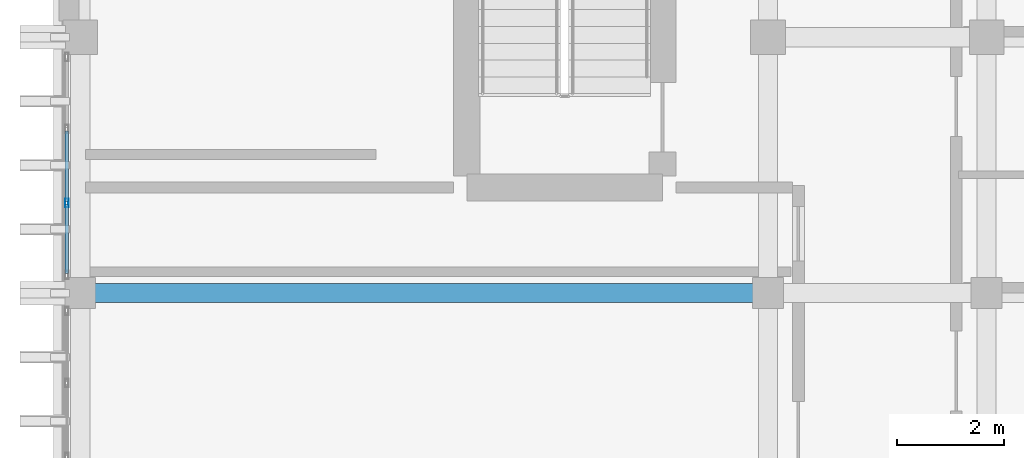
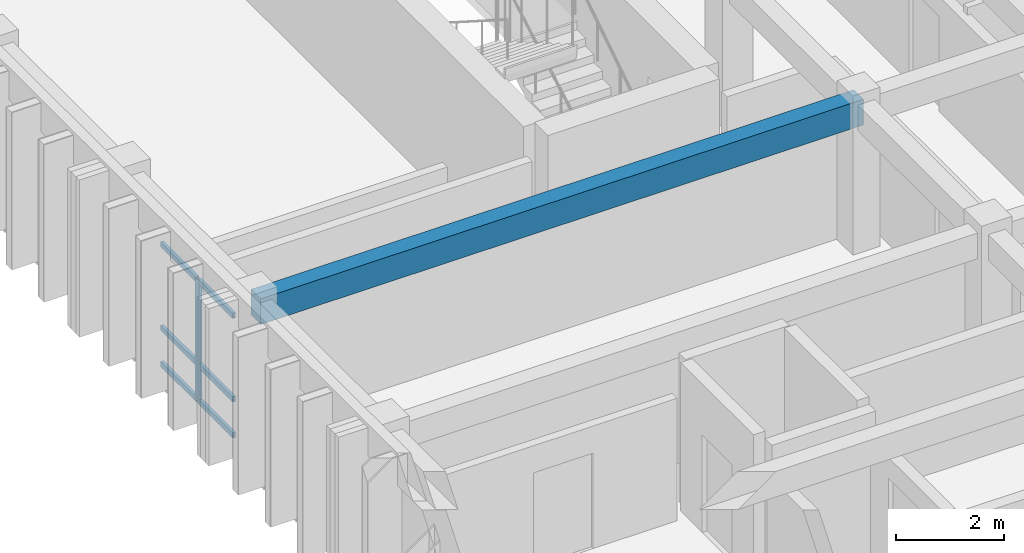
# One storey, part 21 of 49: 7 members, 1 beam, 1 element without a shape of its own.
"""IFC4 building model written with IfcOpenShell, lengths in metres."""

from ifc_helpers import new_model, si_unit, direction, frame, origin, origin_2d, place, context, subcontext, project, spatial, rectangle, hollow_rectangle, extrude, material, layer, layer_set, material_profile, profile_set, type_object, element, aggregate, save


model = new_model("IFC4")

# Units and contexts
model_context = context("Model", 3, precision=1e-05, world=origin(), true_north=direction((0.0, 1.0)))
body_context = subcontext(model_context, "Body", "Model", "MODEL_VIEW")
ifc_project = project(units=[si_unit("LENGTHUNIT", "METRE"), si_unit("AREAUNIT", "SQUARE_METRE"), si_unit("VOLUMEUNIT", "CUBIC_METRE"), si_unit("PLANEANGLEUNIT", "RADIAN"), si_unit("MASSUNIT", "GRAM", prefix="KILO")], contexts=[model_context])

# Site, building, storey
site_placement = place(None, origin())
site = spatial("IfcSite", under=ifc_project, at=site_placement, CompositionType="ELEMENT")
building_placement = place(site_placement, origin())
building = spatial("IfcBuilding", under=site, at=building_placement, Name="Nakhvara Creek Congress Hotel", CompositionType="ELEMENT")
storey_placement = place(building_placement, frame((0.0, 0.0, 39.0)))
storey = spatial("IfcBuildingStorey", under=building, at=storey_placement, Name="L09", CompositionType="ELEMENT", Elevation=39.0)

# Beam
ifc_material_1 = material(Name="Concrete C40/50", Category="concrete")
ifc_material_profile_1 = material_profile(ifc_material_1, rectangle(XDim=0.360107421875, YDim=0.580078125, at=origin_2d()), Name="RC-BM 360x580", Category="LoadBearing")
ifc_profile_set_1 = profile_set([ifc_material_profile_1], Name="Concrete C40/50")
beam_type = type_object("IfcBeamType", Name="BM-RC-360X580", PredefinedType="BEAM", material=ifc_profile_set_1)
beam_placement = place(storey_placement, frame((149.449951171875, 100.800048828125, 3.070068359375), z_axis=(1.0, 0.0, 0.0), x_axis=(0.0, 1.0, 0.0)))
element("IfcBeam", 1, at=beam_placement, inside=storey, type_object=beam_type, Name="Beam B09-L09-2614", PredefinedType="BEAM", context=body_context, shape_type="SweptSolid", body=[
    extrude(rectangle(XDim=0.360107421875, YDim=0.580078125, at=origin_2d()), origin(), (0.0, 0.0, 1.0), 12.900146484375),
])

# Curtain wall, members
ifc_material_2 = material(Name="Bronze-anodised aluminium AW-6063-T6 and double-silver low-E glass", Category="aluminium")
ifc_layer = layer(ifc_material_2, 0.199951171875)
ifc_layer_set = layer_set([ifc_layer], Name="Bronze-anodised aluminium AW-6063-T6 and double-silver low-E glass")
curtain_wall_type = type_object("IfcCurtainWallType", Name="CW-HTL-UNIT", PredefinedType="USERDEFINED", material=ifc_layer_set)
curtain_wall_placement = place(storey_placement, origin())
curtain_wall = element("IfcCurtainWall", 2, at=curtain_wall_placement, inside=storey, type_object=curtain_wall_type, Name="Curtain Wall CW308", ObjectType="UNITISED", PredefinedType="USERDEFINED")
ifc_material_3 = material(Name="Bronze-anodised aluminium AW-6063-T6", Category="aluminium")
ifc_material_profile_2 = material_profile(ifc_material_3, hollow_rectangle(XDim=0.06494140625, YDim=0.159912109375, WallThickness=0.00390625, at=origin_2d()), Name="ALU-MULL 65x160x4", Category="LoadBearing")
ifc_profile_set_2 = profile_set([ifc_material_profile_2], Name="Bronze-anodised aluminium AW-6063-T6")
member_type_1 = type_object("IfcMemberType", Name="CW-MULL-160", PredefinedType="MULLION", material=ifc_profile_set_2)
member_1_placement = place(storey_placement, frame((149.199951171875, 102.489990234375, 0.0), z_axis=(0.0, 0.0, 1.0), x_axis=(-1.0, 0.0, 0.0)))
member_1 = element("IfcMember", 3, at=member_1_placement, type_object=member_type_1, Name="CW308 mullion 2", PredefinedType="MULLION", context=body_context, shape_type="SweptSolid", body=[
    extrude(hollow_rectangle(XDim=0.06494140625, YDim=0.159912109375, WallThickness=0.00390625, at=origin_2d()), origin(), (0.0, 0.0, 1.0), 2.77197265625),
])
ifc_material_profile_3 = material_profile(ifc_material_3, hollow_rectangle(XDim=0.06494140625, YDim=0.1201171875, WallThickness=0.00390625, at=origin_2d()), Name="ALU-TRAN 65x120x4", Category="LoadBearing")
ifc_profile_set_3 = profile_set([ifc_material_profile_3], Name="Bronze-anodised aluminium AW-6063-T6")
member_type_2 = type_object("IfcMemberType", Name="CW-TRAN-120", PredefinedType="USERDEFINED", material=ifc_profile_set_3)
member_2_placement = place(storey_placement, frame((149.199951171875, 101.169921875, 0.032470703125), z_axis=(0.0, 1.0, 0.0), x_axis=(-1.0, 0.0, 0.0)))
member_2 = element("IfcMember", 4, at=member_2_placement, type_object=member_type_2, Name="CW308 transom 1.1", ObjectType="TRANSOM", PredefinedType="USERDEFINED", context=body_context, shape_type="SweptSolid", body=[
    extrude(hollow_rectangle(XDim=0.06494140625, YDim=0.1201171875, WallThickness=0.00390625, at=origin_2d()), origin(), (0.0, 0.0, 1.0), 1.28759765625),
])
member_3_placement = place(storey_placement, frame((149.199951171875, 101.169921875, 0.85009765625), z_axis=(0.0, 1.0, 0.0), x_axis=(-1.0, 0.0, 0.0)))
member_3 = element("IfcMember", 5, at=member_3_placement, type_object=member_type_2, Name="CW308 transom 1.2", ObjectType="TRANSOM", PredefinedType="USERDEFINED", context=body_context, shape_type="SweptSolid", body=[
    extrude(hollow_rectangle(XDim=0.06494140625, YDim=0.1201171875, WallThickness=0.00390625, at=origin_2d()), origin(), (0.0, 0.0, 1.0), 1.28759765625),
])
member_4_placement = place(storey_placement, frame((149.199951171875, 101.169921875, 2.739501953125), z_axis=(0.0, 1.0, 0.0), x_axis=(-1.0, 0.0, 0.0)))
member_4 = element("IfcMember", 6, at=member_4_placement, type_object=member_type_2, Name="CW308 transom 1.3", ObjectType="TRANSOM", PredefinedType="USERDEFINED", context=body_context, shape_type="SweptSolid", body=[
    extrude(hollow_rectangle(XDim=0.06494140625, YDim=0.1201171875, WallThickness=0.00390625, at=origin_2d()), origin(), (0.0, 0.0, 1.0), 1.28759765625),
])
member_5_placement = place(storey_placement, frame((149.199951171875, 102.5224609375, 0.032470703125), z_axis=(0.0, 1.0, 0.0), x_axis=(-1.0, 0.0, 0.0)))
member_5 = element("IfcMember", 7, at=member_5_placement, type_object=member_type_2, Name="CW308 transom 2.1", ObjectType="TRANSOM", PredefinedType="USERDEFINED", context=body_context, shape_type="SweptSolid", body=[
    extrude(hollow_rectangle(XDim=0.06494140625, YDim=0.1201171875, WallThickness=0.00390625, at=origin_2d()), origin(), (0.0, 0.0, 1.0), 1.320068359375),
])
member_6_placement = place(storey_placement, frame((149.199951171875, 102.5224609375, 0.85009765625), z_axis=(0.0, 1.0, 0.0), x_axis=(-1.0, 0.0, 0.0)))
member_6 = element("IfcMember", 8, at=member_6_placement, type_object=member_type_2, Name="CW308 transom 2.2", ObjectType="TRANSOM", PredefinedType="USERDEFINED", context=body_context, shape_type="SweptSolid", body=[
    extrude(hollow_rectangle(XDim=0.06494140625, YDim=0.1201171875, WallThickness=0.00390625, at=origin_2d()), origin(), (0.0, 0.0, 1.0), 1.320068359375),
])
member_7_placement = place(storey_placement, frame((149.199951171875, 102.5224609375, 2.739501953125), z_axis=(0.0, 1.0, 0.0), x_axis=(-1.0, 0.0, 0.0)))
member_7 = element("IfcMember", 9, at=member_7_placement, type_object=member_type_2, Name="CW308 transom 2.3", ObjectType="TRANSOM", PredefinedType="USERDEFINED", context=body_context, shape_type="SweptSolid", body=[
    extrude(hollow_rectangle(XDim=0.06494140625, YDim=0.1201171875, WallThickness=0.00390625, at=origin_2d()), origin(), (0.0, 0.0, 1.0), 1.320068359375),
])
aggregate(curtain_wall, [member_1, member_2, member_3, member_4, member_5, member_6, member_7])

save(model, "model.ifc")
